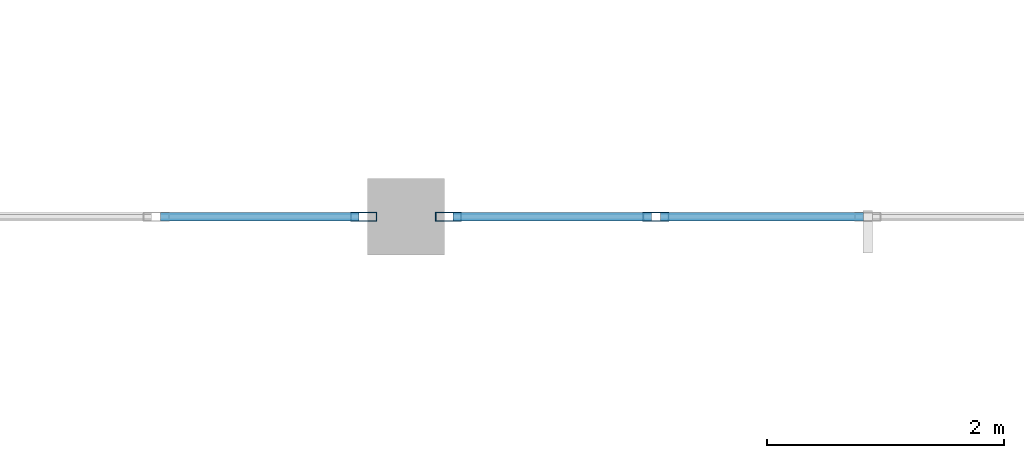
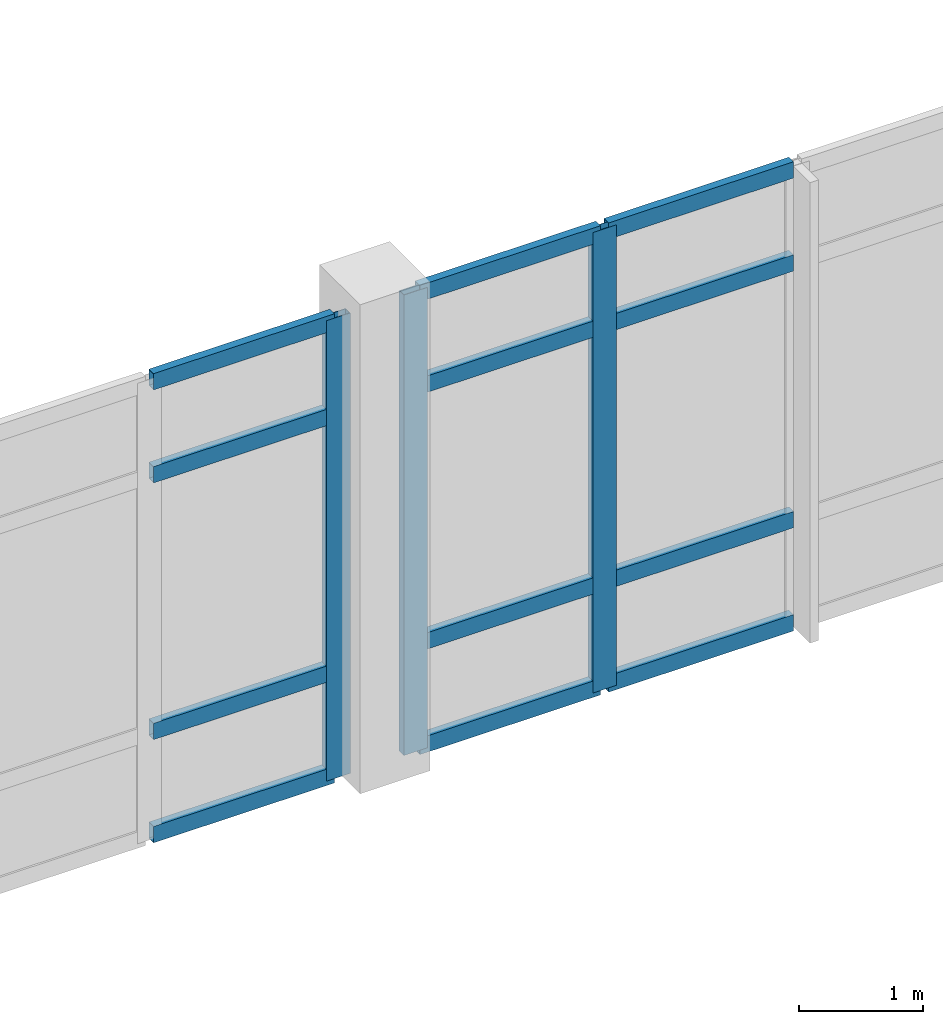
# One storey, part 34 of 102: 15 members, 2 elements without a shape of their own.
"""IFC4 building model written with IfcOpenShell, lengths in metres."""

from ifc_helpers import new_model, si_unit, direction, frame, origin, origin_2d, place, context, subcontext, project, spatial, hollow_rectangle, extrude, material, layer, layer_set, material_profile, profile_set, type_object, element, aggregate, save


model = new_model("IFC4")

# Units and contexts
model_context = context("Model", 3, precision=1e-05, world=origin(), true_north=direction((0.0, 1.0)))
body_context = subcontext(model_context, "Body", "Model", "MODEL_VIEW")
ifc_project = project(units=[si_unit("LENGTHUNIT", "METRE"), si_unit("AREAUNIT", "SQUARE_METRE"), si_unit("VOLUMEUNIT", "CUBIC_METRE"), si_unit("PLANEANGLEUNIT", "RADIAN"), si_unit("MASSUNIT", "GRAM", prefix="KILO")], contexts=[model_context])

# Site, building, storey
site_placement = place(None, origin())
site = spatial("IfcSite", under=ifc_project, at=site_placement, CompositionType="ELEMENT")
building_placement = place(site_placement, origin())
building = spatial("IfcBuilding", under=site, at=building_placement, Name="Lornevale Opera House", CompositionType="ELEMENT")
storey_placement = place(building_placement, frame((0.0, 0.0, 5.39990234375)))
storey = spatial("IfcBuildingStorey", under=building, at=storey_placement, Name="L02", CompositionType="ELEMENT", Elevation=5.39990234375)

# Curtain wall, member
ifc_material = material(Name="Anodized Oxide-Green Aluminium Framing", Category="aluminium")
ifc_layer = layer(ifc_material, 0.219970703125)
ifc_layer_set = layer_set([ifc_layer], Name="Anodized Oxide-Green Aluminium Framing")
curtain_wall_type = type_object("IfcCurtainWallType", Name="Winter-Garden Curtain Wall M1900", PredefinedType="NOTDEFINED", material=ifc_layer_set)
curtain_wall_1_placement = place(storey_placement, origin())
curtain_wall_1 = element("IfcCurtainWall", 1, at=curtain_wall_1_placement, inside=storey, type_object=curtain_wall_type, Name="Winter-Garden Curtain Wall M1900 CW-069", PredefinedType="NOTDEFINED")
ifc_material_profile_1 = material_profile(ifc_material, hollow_rectangle(XDim=0.074951171875, YDim=0.219970703125, WallThickness=0.0048828125, at=origin_2d()), Name="ALU75x220x5")
ifc_profile_set_1 = profile_set([ifc_material_profile_1], Name="Anodized Oxide-Green Aluminium Framing")
member_type_1 = type_object("IfcMemberType", Name="Curtain Wall Mullion 75x220", PredefinedType="MULLION", material=ifc_profile_set_1)
member_1_placement = place(storey_placement, frame((76.44140625, 16.800048828125, 0.0), z_axis=(0.0, 0.0, 1.0), x_axis=(0.0, -1.0, 0.0)))
member_1 = element("IfcMember", 2, at=member_1_placement, type_object=member_type_1, Name="Curtain Wall Mullion 75x220 CW1357", PredefinedType="MULLION", context=body_context, shape_type="SweptSolid", body=[
    extrude(hollow_rectangle(XDim=0.074951171875, YDim=0.219970703125, WallThickness=0.0048828125, at=origin_2d()), origin(), (0.0, 0.0, 1.0), 4.52001953125),
])

# Curtain wall, members
curtain_wall_2_placement = place(storey_placement, origin())
curtain_wall_2 = element("IfcCurtainWall", 3, at=curtain_wall_2_placement, inside=storey, type_object=curtain_wall_type, Name="Winter-Garden Curtain Wall M1900 CW-070", PredefinedType="NOTDEFINED")
member_2_placement = place(storey_placement, frame((78.91259765625, 16.800048828125, 0.0), z_axis=(0.0, 0.0, 1.0), x_axis=(0.0, -1.0, 0.0)))
member_2 = element("IfcMember", 4, at=member_2_placement, type_object=member_type_1, Name="Curtain Wall Mullion 75x220 CW1402", PredefinedType="MULLION", context=body_context, shape_type="SweptSolid", body=[
    extrude(hollow_rectangle(XDim=0.074951171875, YDim=0.219970703125, WallThickness=0.0048828125, at=origin_2d()), origin(), (0.0, 0.0, 1.0), 4.52001953125),
])
member_3_placement = place(storey_placement, frame((77.158447265625, 16.800048828125, 0.0), z_axis=(0.0, 0.0, 1.0), x_axis=(0.0, -1.0, 0.0)))
member_3 = element("IfcMember", 5, at=member_3_placement, type_object=member_type_1, Name="Curtain Wall Mullion 75x220 CW1403", PredefinedType="MULLION", context=body_context, shape_type="SweptSolid", body=[
    extrude(hollow_rectangle(XDim=0.074951171875, YDim=0.219970703125, WallThickness=0.0048828125, at=origin_2d()), origin(), (0.0, 0.0, 1.0), 4.52001953125),
])

# Member
ifc_material_profile_2 = material_profile(ifc_material, hollow_rectangle(XDim=0.074951171875, YDim=0.159912109375, WallThickness=0.0048828125, at=origin_2d()), Name="ALU75x160x5")
ifc_profile_set_2 = profile_set([ifc_material_profile_2], Name="Anodized Oxide-Green Aluminium Framing")
member_type_2 = type_object("IfcMemberType", Name="Curtain Wall Transom 75x160", PredefinedType="USERDEFINED", material=ifc_profile_set_2)
member_4_placement = place(storey_placement, frame((76.404052734375, 16.800048828125, 0.03759765625), z_axis=(-1.0, 0.0, 0.0), x_axis=(0.0, -1.0, 0.0)))
member_4 = element("IfcMember", 6, at=member_4_placement, type_object=member_type_2, Name="Curtain Wall Transom 75x160 CW1363", ObjectType="TRANSOM", PredefinedType="USERDEFINED", context=body_context, shape_type="SweptSolid", body=[
    extrude(hollow_rectangle(XDim=0.074951171875, YDim=0.159912109375, WallThickness=0.0048828125, at=origin_2d()), origin(), (0.0, 0.0, 1.0), 1.67919921875),
])

member_5_placement = place(storey_placement, frame((76.404052734375, 16.800048828125, 1.050048828125), z_axis=(-1.0, 0.0, 0.0), x_axis=(0.0, -1.0, 0.0)))
member_5 = element("IfcMember", 7, at=member_5_placement, type_object=member_type_2, Name="Curtain Wall Transom 75x160 CW1364", ObjectType="TRANSOM", PredefinedType="USERDEFINED", context=body_context, shape_type="SweptSolid", body=[
    extrude(hollow_rectangle(XDim=0.074951171875, YDim=0.159912109375, WallThickness=0.0048828125, at=origin_2d()), origin(), (0.0, 0.0, 1.0), 1.67919921875),
])

member_6_placement = place(storey_placement, frame((76.404052734375, 16.800048828125, 3.570068359375), z_axis=(-1.0, 0.0, 0.0), x_axis=(0.0, -1.0, 0.0)))
member_6 = element("IfcMember", 8, at=member_6_placement, type_object=member_type_2, Name="Curtain Wall Transom 75x160 CW1365", ObjectType="TRANSOM", PredefinedType="USERDEFINED", context=body_context, shape_type="SweptSolid", body=[
    extrude(hollow_rectangle(XDim=0.074951171875, YDim=0.159912109375, WallThickness=0.0048828125, at=origin_2d()), origin(), (0.0, 0.0, 1.0), 1.67919921875),
])

member_7_placement = place(storey_placement, frame((76.404052734375, 16.800048828125, 4.482666015625), z_axis=(-1.0, 0.0, 0.0), x_axis=(0.0, -1.0, 0.0)))
member_7 = element("IfcMember", 9, at=member_7_placement, type_object=member_type_2, Name="Curtain Wall Transom 75x160 CW1366", ObjectType="TRANSOM", PredefinedType="USERDEFINED", context=body_context, shape_type="SweptSolid", body=[
    extrude(hollow_rectangle(XDim=0.074951171875, YDim=0.159912109375, WallThickness=0.0048828125, at=origin_2d()), origin(), (0.0, 0.0, 1.0), 1.67919921875),
])

aggregate(curtain_wall_1, [member_1, member_4, member_5, member_6, member_7])

member_8_placement = place(storey_placement, frame((80.666748046875, 16.800048828125, 0.03759765625), z_axis=(-1.0, 0.0, 0.0), x_axis=(0.0, -1.0, 0.0)))
member_8 = element("IfcMember", 10, at=member_8_placement, type_object=member_type_2, Name="Curtain Wall Transom 75x160 CW1425", ObjectType="TRANSOM", PredefinedType="USERDEFINED", context=body_context, shape_type="SweptSolid", body=[
    extrude(hollow_rectangle(XDim=0.074951171875, YDim=0.159912109375, WallThickness=0.0048828125, at=origin_2d()), origin(), (0.0, 0.0, 1.0), 1.716552734375),
])

member_9_placement = place(storey_placement, frame((80.666748046875, 16.800048828125, 1.050048828125), z_axis=(-1.0, 0.0, 0.0), x_axis=(0.0, -1.0, 0.0)))
member_9 = element("IfcMember", 11, at=member_9_placement, type_object=member_type_2, Name="Curtain Wall Transom 75x160 CW1426", ObjectType="TRANSOM", PredefinedType="USERDEFINED", context=body_context, shape_type="SweptSolid", body=[
    extrude(hollow_rectangle(XDim=0.074951171875, YDim=0.159912109375, WallThickness=0.0048828125, at=origin_2d()), origin(), (0.0, 0.0, 1.0), 1.716552734375),
])

member_10_placement = place(storey_placement, frame((80.666748046875, 16.800048828125, 3.570068359375), z_axis=(-1.0, 0.0, 0.0), x_axis=(0.0, -1.0, 0.0)))
member_10 = element("IfcMember", 12, at=member_10_placement, type_object=member_type_2, Name="Curtain Wall Transom 75x160 CW1427", ObjectType="TRANSOM", PredefinedType="USERDEFINED", context=body_context, shape_type="SweptSolid", body=[
    extrude(hollow_rectangle(XDim=0.074951171875, YDim=0.159912109375, WallThickness=0.0048828125, at=origin_2d()), origin(), (0.0, 0.0, 1.0), 1.716552734375),
])

member_11_placement = place(storey_placement, frame((80.666748046875, 16.800048828125, 4.482666015625), z_axis=(-1.0, 0.0, 0.0), x_axis=(0.0, -1.0, 0.0)))
member_11 = element("IfcMember", 13, at=member_11_placement, type_object=member_type_2, Name="Curtain Wall Transom 75x160 CW1428", ObjectType="TRANSOM", PredefinedType="USERDEFINED", context=body_context, shape_type="SweptSolid", body=[
    extrude(hollow_rectangle(XDim=0.074951171875, YDim=0.159912109375, WallThickness=0.0048828125, at=origin_2d()), origin(), (0.0, 0.0, 1.0), 1.716552734375),
])

member_12_placement = place(storey_placement, frame((78.875, 16.800048828125, 0.03759765625), z_axis=(-1.0, 0.0, 0.0), x_axis=(0.0, -1.0, 0.0)))
member_12 = element("IfcMember", 14, at=member_12_placement, type_object=member_type_2, Name="Curtain Wall Transom 75x160 CW1432", ObjectType="TRANSOM", PredefinedType="USERDEFINED", context=body_context, shape_type="SweptSolid", body=[
    extrude(hollow_rectangle(XDim=0.074951171875, YDim=0.159912109375, WallThickness=0.0048828125, at=origin_2d()), origin(), (0.0, 0.0, 1.0), 1.678955078125),
])

member_13_placement = place(storey_placement, frame((78.875, 16.800048828125, 1.050048828125), z_axis=(-1.0, 0.0, 0.0), x_axis=(0.0, -1.0, 0.0)))
member_13 = element("IfcMember", 15, at=member_13_placement, type_object=member_type_2, Name="Curtain Wall Transom 75x160 CW1433", ObjectType="TRANSOM", PredefinedType="USERDEFINED", context=body_context, shape_type="SweptSolid", body=[
    extrude(hollow_rectangle(XDim=0.074951171875, YDim=0.159912109375, WallThickness=0.0048828125, at=origin_2d()), origin(), (0.0, 0.0, 1.0), 1.678955078125),
])

member_14_placement = place(storey_placement, frame((78.875, 16.800048828125, 3.570068359375), z_axis=(-1.0, 0.0, 0.0), x_axis=(0.0, -1.0, 0.0)))
member_14 = element("IfcMember", 16, at=member_14_placement, type_object=member_type_2, Name="Curtain Wall Transom 75x160 CW1434", ObjectType="TRANSOM", PredefinedType="USERDEFINED", context=body_context, shape_type="SweptSolid", body=[
    extrude(hollow_rectangle(XDim=0.074951171875, YDim=0.159912109375, WallThickness=0.0048828125, at=origin_2d()), origin(), (0.0, 0.0, 1.0), 1.678955078125),
])

member_15_placement = place(storey_placement, frame((78.875, 16.800048828125, 4.482666015625), z_axis=(-1.0, 0.0, 0.0), x_axis=(0.0, -1.0, 0.0)))
member_15 = element("IfcMember", 17, at=member_15_placement, type_object=member_type_2, Name="Curtain Wall Transom 75x160 CW1435", ObjectType="TRANSOM", PredefinedType="USERDEFINED", context=body_context, shape_type="SweptSolid", body=[
    extrude(hollow_rectangle(XDim=0.074951171875, YDim=0.159912109375, WallThickness=0.0048828125, at=origin_2d()), origin(), (0.0, 0.0, 1.0), 1.678955078125),
])

aggregate(curtain_wall_2, [member_2, member_3, member_8, member_9, member_10, member_11, member_12, member_13, member_14, member_15])

save(model, "model.ifc")
